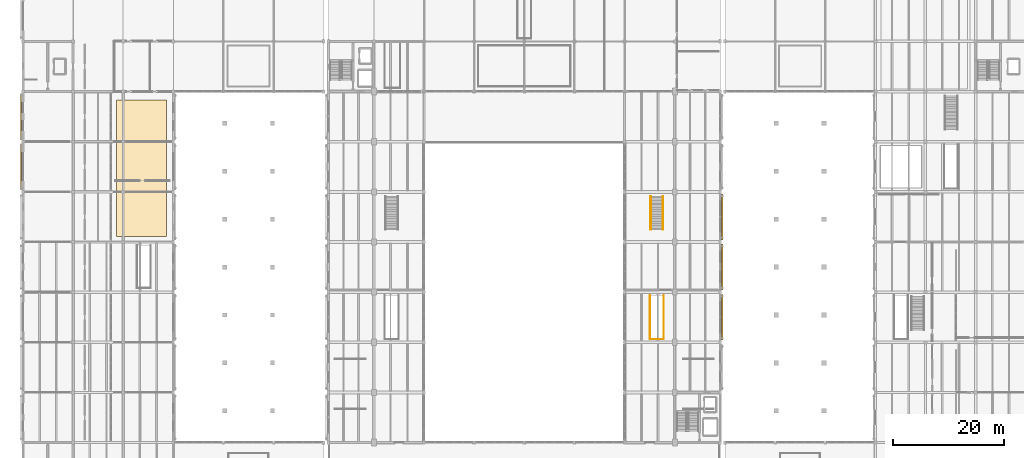
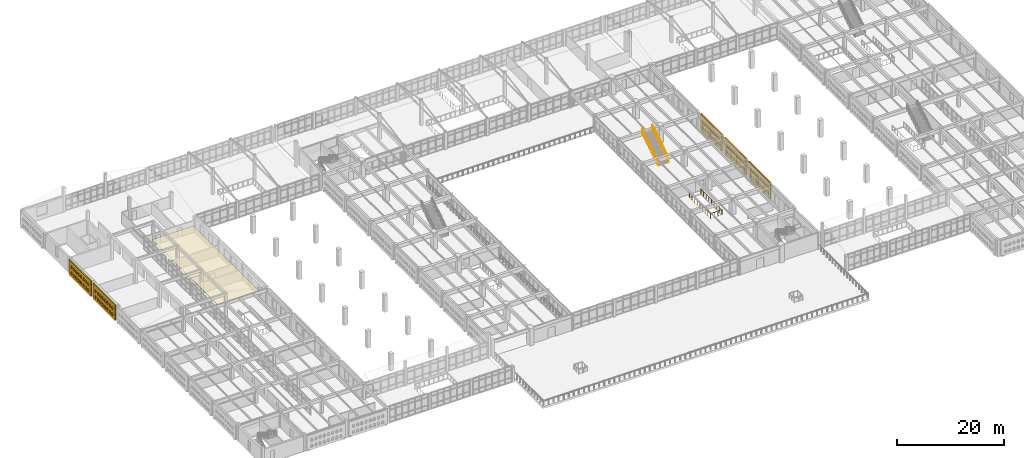
# One storey, part 148 of 156: 6 coverings, 5 railings.
"""IFC4 building model written with IfcOpenShell, lengths in metres."""

from ifc_helpers import new_model, si_unit, direction, frame, origin, origin_2d, place, context, subcontext, project, spatial, polyline, circle, outline, extrude, material, layer, layer_set, type_object, element, save


model = new_model("IFC4")

# Units and contexts
model_context = context("Model", 3, precision=1e-05, world=origin(), true_north=direction((0.0, 1.0)))
body_context = subcontext(model_context, "Body", "Model", "MODEL_VIEW")
ifc_project = project(units=[si_unit("LENGTHUNIT", "METRE"), si_unit("AREAUNIT", "SQUARE_METRE"), si_unit("VOLUMEUNIT", "CUBIC_METRE"), si_unit("PLANEANGLEUNIT", "RADIAN"), si_unit("MASSUNIT", "GRAM", prefix="KILO")], contexts=[model_context])

# Site, building, storey
site_placement = place(None, origin())
site = spatial("IfcSite", under=ifc_project, at=site_placement, CompositionType="ELEMENT")
building_placement = place(site_placement, origin())
building = spatial("IfcBuilding", under=site, at=building_placement, Name="Ornek Quay Market", CompositionType="ELEMENT")
storey_placement = place(building_placement, frame((0.0, 0.0, 4.5)))
storey = spatial("IfcBuildingStorey", under=building, at=storey_placement, Name="L01", CompositionType="ELEMENT", Elevation=4.5)

# Coverings
ifc_material_1 = material(Name="Frost-resistant facing clay brick M200 F100", Category="masonry")
ifc_layer_1 = layer(ifc_material_1, 0.25, Name="Frost-resistant facing clay brick M200 F100", Category="masonry")
ifc_layer_set_1 = layer_set([ifc_layer_1], Name="Frost-resistant facing clay brick M200 F100")
covering_type_1 = type_object("IfcCoveringType", Name="COV-BRICK-LATTICE-250", PredefinedType="CLADDING", material=ifc_layer_set_1)
covering_1_placement = place(storey_placement, frame((-0.340087890625, 74.35009765625, 0.0), z_axis=(0.0, 0.0, 1.0), x_axis=(0.0, 1.0, 0.0)))
element("IfcCovering", 1, at=covering_1_placement, inside=storey, type_object=covering_type_1, Name="Arched brick lattice screen BLS-018", PredefinedType="CLADDING", context=body_context, shape_type="SweptSolid", body=[
    extrude(outline(polyline([(0.0, 0.0), (8.2998046875, 0.0), (8.2998046875, 3.47998046875), (0.0, 3.47998046875), (0.0, 0.0)]), holes=[polyline([(0.760009765625, 0.550048828125), (1.239990234375, 0.550048828125), (1.239990234375, 1.050048828125), (1.1201171875, 1.2578125), (0.8798828125, 1.2578125), (0.760009765625, 1.050048828125), (0.760009765625, 0.550048828125)]), polyline([(0.760009765625, 1.949951171875), (1.239990234375, 1.949951171875), (1.239990234375, 2.449951171875), (1.1201171875, 2.65771484375), (0.8798828125, 2.65771484375), (0.760009765625, 2.449951171875), (0.760009765625, 1.949951171875)]), polyline([(1.659912109375, 0.550048828125), (2.139892578125, 0.550048828125), (2.139892578125, 1.050048828125), (2.02001953125, 1.2578125), (1.780029296875, 1.2578125), (1.659912109375, 1.050048828125), (1.659912109375, 0.550048828125)]), polyline([(1.659912109375, 1.949951171875), (2.139892578125, 1.949951171875), (2.139892578125, 2.449951171875), (2.02001953125, 2.65771484375), (1.780029296875, 2.65771484375), (1.659912109375, 2.449951171875), (1.659912109375, 1.949951171875)]), polyline([(2.56005859375, 0.550048828125), (3.0400390625, 0.550048828125), (3.0400390625, 1.050048828125), (2.919921875, 1.2578125), (2.679931640625, 1.2578125), (2.56005859375, 1.050048828125), (2.56005859375, 0.550048828125)]), polyline([(2.56005859375, 1.949951171875), (3.0400390625, 1.949951171875), (3.0400390625, 2.449951171875), (2.919921875, 2.65771484375), (2.679931640625, 2.65771484375), (2.56005859375, 2.449951171875), (2.56005859375, 1.949951171875)]), polyline([(3.4599609375, 0.550048828125), (3.93994140625, 0.550048828125), (3.93994140625, 1.050048828125), (3.820068359375, 1.2578125), (3.580078125, 1.2578125), (3.4599609375, 1.050048828125), (3.4599609375, 0.550048828125)]), polyline([(3.4599609375, 1.949951171875), (3.93994140625, 1.949951171875), (3.93994140625, 2.449951171875), (3.820068359375, 2.65771484375), (3.580078125, 2.65771484375), (3.4599609375, 2.449951171875), (3.4599609375, 1.949951171875)]), polyline([(4.360107421875, 0.550048828125), (4.840087890625, 0.550048828125), (4.840087890625, 1.050048828125), (4.719970703125, 1.2578125), (4.47998046875, 1.2578125), (4.360107421875, 1.050048828125), (4.360107421875, 0.550048828125)]), polyline([(4.360107421875, 1.949951171875), (4.840087890625, 1.949951171875), (4.840087890625, 2.449951171875), (4.719970703125, 2.65771484375), (4.47998046875, 2.65771484375), (4.360107421875, 2.449951171875), (4.360107421875, 1.949951171875)]), polyline([(5.260009765625, 0.550048828125), (5.739990234375, 0.550048828125), (5.739990234375, 1.050048828125), (5.6201171875, 1.2578125), (5.3798828125, 1.2578125), (5.260009765625, 1.050048828125), (5.260009765625, 0.550048828125)]), polyline([(5.260009765625, 1.949951171875), (5.739990234375, 1.949951171875), (5.739990234375, 2.449951171875), (5.6201171875, 2.65771484375), (5.3798828125, 2.65771484375), (5.260009765625, 2.449951171875), (5.260009765625, 1.949951171875)]), polyline([(6.159912109375, 0.550048828125), (6.639892578125, 0.550048828125), (6.639892578125, 1.050048828125), (6.52001953125, 1.2578125), (6.280029296875, 1.2578125), (6.159912109375, 1.050048828125), (6.159912109375, 0.550048828125)]), polyline([(6.159912109375, 1.949951171875), (6.639892578125, 1.949951171875), (6.639892578125, 2.449951171875), (6.52001953125, 2.65771484375), (6.280029296875, 2.65771484375), (6.159912109375, 2.449951171875), (6.159912109375, 1.949951171875)]), polyline([(7.06005859375, 0.550048828125), (7.5400390625, 0.550048828125), (7.5400390625, 1.050048828125), (7.419921875, 1.2578125), (7.179931640625, 1.2578125), (7.06005859375, 1.050048828125), (7.06005859375, 0.550048828125)]), polyline([(7.06005859375, 1.949951171875), (7.5400390625, 1.949951171875), (7.5400390625, 2.449951171875), (7.419921875, 2.65771484375), (7.179931640625, 2.65771484375), (7.06005859375, 2.449951171875), (7.06005859375, 1.949951171875)])]), frame((0.0, 0.125, 0.0), z_axis=(0.0, -1.0, 0.0), x_axis=(1.0, 0.0, 0.0)), (0.0, 0.0, 1.0), 0.25),
])
covering_2_placement = place(storey_placement, frame((-0.340087890625, 83.35009765625, 0.0), z_axis=(0.0, 0.0, 1.0), x_axis=(0.0, 1.0, 0.0)))
element("IfcCovering", 2, at=covering_2_placement, inside=storey, type_object=covering_type_1, Name="Arched brick lattice screen BLS-019", PredefinedType="CLADDING", context=body_context, shape_type="SweptSolid", body=[
    extrude(outline(polyline([(0.0, 0.0), (8.2998046875, 0.0), (8.2998046875, 3.47998046875), (0.0, 3.47998046875), (0.0, 0.0)]), holes=[polyline([(0.760009765625, 0.550048828125), (1.239990234375, 0.550048828125), (1.239990234375, 1.050048828125), (1.1201171875, 1.2578125), (0.8798828125, 1.2578125), (0.760009765625, 1.050048828125), (0.760009765625, 0.550048828125)]), polyline([(0.760009765625, 1.949951171875), (1.239990234375, 1.949951171875), (1.239990234375, 2.449951171875), (1.1201171875, 2.65771484375), (0.8798828125, 2.65771484375), (0.760009765625, 2.449951171875), (0.760009765625, 1.949951171875)]), polyline([(1.659912109375, 0.550048828125), (2.139892578125, 0.550048828125), (2.139892578125, 1.050048828125), (2.02001953125, 1.2578125), (1.780029296875, 1.2578125), (1.659912109375, 1.050048828125), (1.659912109375, 0.550048828125)]), polyline([(1.659912109375, 1.949951171875), (2.139892578125, 1.949951171875), (2.139892578125, 2.449951171875), (2.02001953125, 2.65771484375), (1.780029296875, 2.65771484375), (1.659912109375, 2.449951171875), (1.659912109375, 1.949951171875)]), polyline([(2.56005859375, 0.550048828125), (3.0400390625, 0.550048828125), (3.0400390625, 1.050048828125), (2.919921875, 1.2578125), (2.679931640625, 1.2578125), (2.56005859375, 1.050048828125), (2.56005859375, 0.550048828125)]), polyline([(2.56005859375, 1.949951171875), (3.0400390625, 1.949951171875), (3.0400390625, 2.449951171875), (2.919921875, 2.65771484375), (2.679931640625, 2.65771484375), (2.56005859375, 2.449951171875), (2.56005859375, 1.949951171875)]), polyline([(3.4599609375, 0.550048828125), (3.93994140625, 0.550048828125), (3.93994140625, 1.050048828125), (3.820068359375, 1.2578125), (3.580078125, 1.2578125), (3.4599609375, 1.050048828125), (3.4599609375, 0.550048828125)]), polyline([(3.4599609375, 1.949951171875), (3.93994140625, 1.949951171875), (3.93994140625, 2.449951171875), (3.820068359375, 2.65771484375), (3.580078125, 2.65771484375), (3.4599609375, 2.449951171875), (3.4599609375, 1.949951171875)]), polyline([(4.360107421875, 0.550048828125), (4.840087890625, 0.550048828125), (4.840087890625, 1.050048828125), (4.719970703125, 1.2578125), (4.47998046875, 1.2578125), (4.360107421875, 1.050048828125), (4.360107421875, 0.550048828125)]), polyline([(4.360107421875, 1.949951171875), (4.840087890625, 1.949951171875), (4.840087890625, 2.449951171875), (4.719970703125, 2.65771484375), (4.47998046875, 2.65771484375), (4.360107421875, 2.449951171875), (4.360107421875, 1.949951171875)]), polyline([(5.260009765625, 0.550048828125), (5.739990234375, 0.550048828125), (5.739990234375, 1.050048828125), (5.6201171875, 1.2578125), (5.3798828125, 1.2578125), (5.260009765625, 1.050048828125), (5.260009765625, 0.550048828125)]), polyline([(5.260009765625, 1.949951171875), (5.739990234375, 1.949951171875), (5.739990234375, 2.449951171875), (5.6201171875, 2.65771484375), (5.3798828125, 2.65771484375), (5.260009765625, 2.449951171875), (5.260009765625, 1.949951171875)]), polyline([(6.159912109375, 0.550048828125), (6.639892578125, 0.550048828125), (6.639892578125, 1.050048828125), (6.52001953125, 1.2578125), (6.280029296875, 1.2578125), (6.159912109375, 1.050048828125), (6.159912109375, 0.550048828125)]), polyline([(6.159912109375, 1.949951171875), (6.639892578125, 1.949951171875), (6.639892578125, 2.449951171875), (6.52001953125, 2.65771484375), (6.280029296875, 2.65771484375), (6.159912109375, 2.449951171875), (6.159912109375, 1.949951171875)]), polyline([(7.06005859375, 0.550048828125), (7.5400390625, 0.550048828125), (7.5400390625, 1.050048828125), (7.419921875, 1.2578125), (7.179931640625, 1.2578125), (7.06005859375, 1.050048828125), (7.06005859375, 0.550048828125)]), polyline([(7.06005859375, 1.949951171875), (7.5400390625, 1.949951171875), (7.5400390625, 2.449951171875), (7.419921875, 2.65771484375), (7.179931640625, 2.65771484375), (7.06005859375, 2.449951171875), (7.06005859375, 1.949951171875)])]), frame((0.0, 0.125, 0.0), z_axis=(0.0, -1.0, 0.0), x_axis=(1.0, 0.0, 0.0)), (0.0, 0.0, 1.0), 0.25),
])
ifc_layer_2 = layer(ifc_material_1, 0.2900390625, Name="Frost-resistant facing clay brick M200 F100", Category="masonry")
ifc_layer_set_2 = layer_set([ifc_layer_2], Name="Frost-resistant facing clay brick M200 F100")
covering_type_2 = type_object("IfcCoveringType", Name="COV-BRICK-LATTICE-290", PredefinedType="CLADDING", material=ifc_layer_set_2)
covering_3_placement = place(storey_placement, frame((125.5400390625, 47.39990234375, 0.0), z_axis=(0.0, 0.0, 1.0), x_axis=(0.0, 1.0, 0.0)))
element("IfcCovering", 3, at=covering_3_placement, inside=storey, type_object=covering_type_2, Name="Arched brick lattice screen BLS-050", PredefinedType="CLADDING", context=body_context, shape_type="SweptSolid", body=[
    extrude(outline(polyline([(0.0, 0.0), (8.2001953125, 0.0), (8.2001953125, 3.659912109375), (0.0, 3.659912109375), (0.0, 0.0)]), holes=[polyline([(0.7099609375, 0.550048828125), (1.18994140625, 0.550048828125), (1.18994140625, 1.050048828125), (1.070068359375, 1.2578125), (0.830078125, 1.2578125), (0.7099609375, 1.050048828125), (0.7099609375, 0.550048828125)]), polyline([(0.7099609375, 1.949951171875), (1.18994140625, 1.949951171875), (1.18994140625, 2.449951171875), (1.070068359375, 2.65771484375), (0.830078125, 2.65771484375), (0.7099609375, 2.449951171875), (0.7099609375, 1.949951171875)]), polyline([(1.610107421875, 0.550048828125), (2.090087890625, 0.550048828125), (2.090087890625, 1.050048828125), (1.969970703125, 1.2578125), (1.72998046875, 1.2578125), (1.610107421875, 1.050048828125), (1.610107421875, 0.550048828125)]), polyline([(1.610107421875, 1.949951171875), (2.090087890625, 1.949951171875), (2.090087890625, 2.449951171875), (1.969970703125, 2.65771484375), (1.72998046875, 2.65771484375), (1.610107421875, 2.449951171875), (1.610107421875, 1.949951171875)]), polyline([(2.510009765625, 0.550048828125), (2.989990234375, 0.550048828125), (2.989990234375, 1.050048828125), (2.8701171875, 1.2578125), (2.6298828125, 1.2578125), (2.510009765625, 1.050048828125), (2.510009765625, 0.550048828125)]), polyline([(2.510009765625, 1.949951171875), (2.989990234375, 1.949951171875), (2.989990234375, 2.449951171875), (2.8701171875, 2.65771484375), (2.6298828125, 2.65771484375), (2.510009765625, 2.449951171875), (2.510009765625, 1.949951171875)]), polyline([(3.409912109375, 0.550048828125), (3.889892578125, 0.550048828125), (3.889892578125, 1.050048828125), (3.77001953125, 1.2578125), (3.530029296875, 1.2578125), (3.409912109375, 1.050048828125), (3.409912109375, 0.550048828125)]), polyline([(3.409912109375, 1.949951171875), (3.889892578125, 1.949951171875), (3.889892578125, 2.449951171875), (3.77001953125, 2.65771484375), (3.530029296875, 2.65771484375), (3.409912109375, 2.449951171875), (3.409912109375, 1.949951171875)]), polyline([(4.31005859375, 0.550048828125), (4.7900390625, 0.550048828125), (4.7900390625, 1.050048828125), (4.669921875, 1.2578125), (4.429931640625, 1.2578125), (4.31005859375, 1.050048828125), (4.31005859375, 0.550048828125)]), polyline([(4.31005859375, 1.949951171875), (4.7900390625, 1.949951171875), (4.7900390625, 2.449951171875), (4.669921875, 2.65771484375), (4.429931640625, 2.65771484375), (4.31005859375, 2.449951171875), (4.31005859375, 1.949951171875)]), polyline([(5.2099609375, 0.550048828125), (5.68994140625, 0.550048828125), (5.68994140625, 1.050048828125), (5.570068359375, 1.2578125), (5.330078125, 1.2578125), (5.2099609375, 1.050048828125), (5.2099609375, 0.550048828125)]), polyline([(5.2099609375, 1.949951171875), (5.68994140625, 1.949951171875), (5.68994140625, 2.449951171875), (5.570068359375, 2.65771484375), (5.330078125, 2.65771484375), (5.2099609375, 2.449951171875), (5.2099609375, 1.949951171875)]), polyline([(6.110107421875, 0.550048828125), (6.590087890625, 0.550048828125), (6.590087890625, 1.050048828125), (6.469970703125, 1.2578125), (6.22998046875, 1.2578125), (6.110107421875, 1.050048828125), (6.110107421875, 0.550048828125)]), polyline([(6.110107421875, 1.949951171875), (6.590087890625, 1.949951171875), (6.590087890625, 2.449951171875), (6.469970703125, 2.65771484375), (6.22998046875, 2.65771484375), (6.110107421875, 2.449951171875), (6.110107421875, 1.949951171875)]), polyline([(7.010009765625, 0.550048828125), (7.489990234375, 0.550048828125), (7.489990234375, 1.050048828125), (7.3701171875, 1.2578125), (7.1298828125, 1.2578125), (7.010009765625, 1.050048828125), (7.010009765625, 0.550048828125)]), polyline([(7.010009765625, 1.949951171875), (7.489990234375, 1.949951171875), (7.489990234375, 2.449951171875), (7.3701171875, 2.65771484375), (7.1298828125, 2.65771484375), (7.010009765625, 2.449951171875), (7.010009765625, 1.949951171875)])]), frame((0.0, 0.14501953125, 0.0), z_axis=(0.0, -1.0, 0.0), x_axis=(1.0, 0.0, 0.0)), (0.0, 0.0, 1.0), 0.2900390625),
])
covering_4_placement = place(storey_placement, frame((125.5400390625, 56.39990234375, 0.0), z_axis=(0.0, 0.0, 1.0), x_axis=(0.0, 1.0, 0.0)))
element("IfcCovering", 4, at=covering_4_placement, inside=storey, type_object=covering_type_2, Name="Arched brick lattice screen BLS-051", PredefinedType="CLADDING", context=body_context, shape_type="SweptSolid", body=[
    extrude(outline(polyline([(0.0, 0.0), (8.2001953125, 0.0), (8.2001953125, 3.659912109375), (0.0, 3.659912109375), (0.0, 0.0)]), holes=[polyline([(0.7099609375, 0.550048828125), (1.18994140625, 0.550048828125), (1.18994140625, 1.050048828125), (1.070068359375, 1.2578125), (0.830078125, 1.2578125), (0.7099609375, 1.050048828125), (0.7099609375, 0.550048828125)]), polyline([(0.7099609375, 1.949951171875), (1.18994140625, 1.949951171875), (1.18994140625, 2.449951171875), (1.070068359375, 2.65771484375), (0.830078125, 2.65771484375), (0.7099609375, 2.449951171875), (0.7099609375, 1.949951171875)]), polyline([(1.610107421875, 0.550048828125), (2.090087890625, 0.550048828125), (2.090087890625, 1.050048828125), (1.969970703125, 1.2578125), (1.72998046875, 1.2578125), (1.610107421875, 1.050048828125), (1.610107421875, 0.550048828125)]), polyline([(1.610107421875, 1.949951171875), (2.090087890625, 1.949951171875), (2.090087890625, 2.449951171875), (1.969970703125, 2.65771484375), (1.72998046875, 2.65771484375), (1.610107421875, 2.449951171875), (1.610107421875, 1.949951171875)]), polyline([(2.510009765625, 0.550048828125), (2.989990234375, 0.550048828125), (2.989990234375, 1.050048828125), (2.8701171875, 1.2578125), (2.6298828125, 1.2578125), (2.510009765625, 1.050048828125), (2.510009765625, 0.550048828125)]), polyline([(2.510009765625, 1.949951171875), (2.989990234375, 1.949951171875), (2.989990234375, 2.449951171875), (2.8701171875, 2.65771484375), (2.6298828125, 2.65771484375), (2.510009765625, 2.449951171875), (2.510009765625, 1.949951171875)]), polyline([(3.409912109375, 0.550048828125), (3.889892578125, 0.550048828125), (3.889892578125, 1.050048828125), (3.77001953125, 1.2578125), (3.530029296875, 1.2578125), (3.409912109375, 1.050048828125), (3.409912109375, 0.550048828125)]), polyline([(3.409912109375, 1.949951171875), (3.889892578125, 1.949951171875), (3.889892578125, 2.449951171875), (3.77001953125, 2.65771484375), (3.530029296875, 2.65771484375), (3.409912109375, 2.449951171875), (3.409912109375, 1.949951171875)]), polyline([(4.31005859375, 0.550048828125), (4.7900390625, 0.550048828125), (4.7900390625, 1.050048828125), (4.669921875, 1.2578125), (4.429931640625, 1.2578125), (4.31005859375, 1.050048828125), (4.31005859375, 0.550048828125)]), polyline([(4.31005859375, 1.949951171875), (4.7900390625, 1.949951171875), (4.7900390625, 2.449951171875), (4.669921875, 2.65771484375), (4.429931640625, 2.65771484375), (4.31005859375, 2.449951171875), (4.31005859375, 1.949951171875)]), polyline([(5.2099609375, 0.550048828125), (5.68994140625, 0.550048828125), (5.68994140625, 1.050048828125), (5.570068359375, 1.2578125), (5.330078125, 1.2578125), (5.2099609375, 1.050048828125), (5.2099609375, 0.550048828125)]), polyline([(5.2099609375, 1.949951171875), (5.68994140625, 1.949951171875), (5.68994140625, 2.449951171875), (5.570068359375, 2.65771484375), (5.330078125, 2.65771484375), (5.2099609375, 2.449951171875), (5.2099609375, 1.949951171875)]), polyline([(6.110107421875, 0.550048828125), (6.590087890625, 0.550048828125), (6.590087890625, 1.050048828125), (6.469970703125, 1.2578125), (6.22998046875, 1.2578125), (6.110107421875, 1.050048828125), (6.110107421875, 0.550048828125)]), polyline([(6.110107421875, 1.949951171875), (6.590087890625, 1.949951171875), (6.590087890625, 2.449951171875), (6.469970703125, 2.65771484375), (6.22998046875, 2.65771484375), (6.110107421875, 2.449951171875), (6.110107421875, 1.949951171875)]), polyline([(7.010009765625, 0.550048828125), (7.489990234375, 0.550048828125), (7.489990234375, 1.050048828125), (7.3701171875, 1.2578125), (7.1298828125, 1.2578125), (7.010009765625, 1.050048828125), (7.010009765625, 0.550048828125)]), polyline([(7.010009765625, 1.949951171875), (7.489990234375, 1.949951171875), (7.489990234375, 2.449951171875), (7.3701171875, 2.65771484375), (7.1298828125, 2.65771484375), (7.010009765625, 2.449951171875), (7.010009765625, 1.949951171875)])]), frame((0.0, 0.14501953125, 0.0), z_axis=(0.0, -1.0, 0.0), x_axis=(1.0, 0.0, 0.0)), (0.0, 0.0, 1.0), 0.2900390625),
])
covering_5_placement = place(storey_placement, frame((125.5400390625, 65.39990234375, 0.0), z_axis=(0.0, 0.0, 1.0), x_axis=(0.0, 1.0, 0.0)))
element("IfcCovering", 5, at=covering_5_placement, inside=storey, type_object=covering_type_2, Name="Arched brick lattice screen BLS-052", PredefinedType="CLADDING", context=body_context, shape_type="SweptSolid", body=[
    extrude(outline(polyline([(0.0, 0.0), (8.2001953125, 0.0), (8.2001953125, 3.659912109375), (0.0, 3.659912109375), (0.0, 0.0)]), holes=[polyline([(0.7099609375, 0.550048828125), (1.18994140625, 0.550048828125), (1.18994140625, 1.050048828125), (1.070068359375, 1.2578125), (0.830078125, 1.2578125), (0.7099609375, 1.050048828125), (0.7099609375, 0.550048828125)]), polyline([(0.7099609375, 1.949951171875), (1.18994140625, 1.949951171875), (1.18994140625, 2.449951171875), (1.070068359375, 2.65771484375), (0.830078125, 2.65771484375), (0.7099609375, 2.449951171875), (0.7099609375, 1.949951171875)]), polyline([(1.610107421875, 0.550048828125), (2.090087890625, 0.550048828125), (2.090087890625, 1.050048828125), (1.969970703125, 1.2578125), (1.72998046875, 1.2578125), (1.610107421875, 1.050048828125), (1.610107421875, 0.550048828125)]), polyline([(1.610107421875, 1.949951171875), (2.090087890625, 1.949951171875), (2.090087890625, 2.449951171875), (1.969970703125, 2.65771484375), (1.72998046875, 2.65771484375), (1.610107421875, 2.449951171875), (1.610107421875, 1.949951171875)]), polyline([(2.510009765625, 0.550048828125), (2.989990234375, 0.550048828125), (2.989990234375, 1.050048828125), (2.8701171875, 1.2578125), (2.6298828125, 1.2578125), (2.510009765625, 1.050048828125), (2.510009765625, 0.550048828125)]), polyline([(2.510009765625, 1.949951171875), (2.989990234375, 1.949951171875), (2.989990234375, 2.449951171875), (2.8701171875, 2.65771484375), (2.6298828125, 2.65771484375), (2.510009765625, 2.449951171875), (2.510009765625, 1.949951171875)]), polyline([(3.409912109375, 0.550048828125), (3.889892578125, 0.550048828125), (3.889892578125, 1.050048828125), (3.77001953125, 1.2578125), (3.530029296875, 1.2578125), (3.409912109375, 1.050048828125), (3.409912109375, 0.550048828125)]), polyline([(3.409912109375, 1.949951171875), (3.889892578125, 1.949951171875), (3.889892578125, 2.449951171875), (3.77001953125, 2.65771484375), (3.530029296875, 2.65771484375), (3.409912109375, 2.449951171875), (3.409912109375, 1.949951171875)]), polyline([(4.31005859375, 0.550048828125), (4.7900390625, 0.550048828125), (4.7900390625, 1.050048828125), (4.669921875, 1.2578125), (4.429931640625, 1.2578125), (4.31005859375, 1.050048828125), (4.31005859375, 0.550048828125)]), polyline([(4.31005859375, 1.949951171875), (4.7900390625, 1.949951171875), (4.7900390625, 2.449951171875), (4.669921875, 2.65771484375), (4.429931640625, 2.65771484375), (4.31005859375, 2.449951171875), (4.31005859375, 1.949951171875)]), polyline([(5.2099609375, 0.550048828125), (5.68994140625, 0.550048828125), (5.68994140625, 1.050048828125), (5.570068359375, 1.2578125), (5.330078125, 1.2578125), (5.2099609375, 1.050048828125), (5.2099609375, 0.550048828125)]), polyline([(5.2099609375, 1.949951171875), (5.68994140625, 1.949951171875), (5.68994140625, 2.449951171875), (5.570068359375, 2.65771484375), (5.330078125, 2.65771484375), (5.2099609375, 2.449951171875), (5.2099609375, 1.949951171875)]), polyline([(6.110107421875, 0.550048828125), (6.590087890625, 0.550048828125), (6.590087890625, 1.050048828125), (6.469970703125, 1.2578125), (6.22998046875, 1.2578125), (6.110107421875, 1.050048828125), (6.110107421875, 0.550048828125)]), polyline([(6.110107421875, 1.949951171875), (6.590087890625, 1.949951171875), (6.590087890625, 2.449951171875), (6.469970703125, 2.65771484375), (6.22998046875, 2.65771484375), (6.110107421875, 2.449951171875), (6.110107421875, 1.949951171875)]), polyline([(7.010009765625, 0.550048828125), (7.489990234375, 0.550048828125), (7.489990234375, 1.050048828125), (7.3701171875, 1.2578125), (7.1298828125, 1.2578125), (7.010009765625, 1.050048828125), (7.010009765625, 0.550048828125)]), polyline([(7.010009765625, 1.949951171875), (7.489990234375, 1.949951171875), (7.489990234375, 2.449951171875), (7.3701171875, 2.65771484375), (7.1298828125, 2.65771484375), (7.010009765625, 2.449951171875), (7.010009765625, 1.949951171875)])]), frame((0.0, 0.14501953125, 0.0), z_axis=(0.0, -1.0, 0.0), x_axis=(1.0, 0.0, 0.0)), (0.0, 0.0, 1.0), 0.2900390625),
])
ifc_material_2 = material(Name="Perforated larch acoustic slat ceiling", Category="other")
ifc_layer_3 = layer(ifc_material_2, 0.044921875, Name="Perforated larch acoustic slat ceiling", Category="other")
ifc_layer_set_3 = layer_set([ifc_layer_3], Name="Perforated larch acoustic slat ceiling")
covering_type_3 = type_object("IfcCoveringType", Name="COV-CEIL-TIMBER-45", PredefinedType="CEILING", material=ifc_layer_set_3)
covering_6_placement = place(storey_placement, frame((0.0, 0.0, 2.60009765625)))
element("IfcCovering", 6, at=covering_6_placement, inside=storey, type_object=covering_type_3, Name="Suspended acoustic ceiling CLG-06", PredefinedType="CEILING", context=body_context, shape_type="SweptSolid", body=[
    extrude(outline(polyline([(16.800048828125, 66.0), (25.800048828125, 66.0), (25.800048828125, 90.5), (16.800048828125, 90.5), (16.800048828125, 66.0)])), origin(), (0.0, 0.0, 1.0), 0.044921875),
])

# Railings
ifc_material_3 = material(Name="Painted steel S355 and vertical infill bars", Category="steel")
railing_type_1 = type_object("IfcRailingType", Name="RL-GUARD-GAL-1100", PredefinedType="GUARDRAIL", material=ifc_material_3)
railing_placement = place(storey_placement, frame((112.56005859375, 55.39990234375, 0.0)))
element("IfcRailing", 7, at=railing_placement, inside=storey, type_object=railing_type_1, Name="Railing GR-01-074", PredefinedType="GUARDRAIL", context=body_context, shape_type="SweptSolid", body=[
    extrude(circle(Radius=0.02392578125, at=origin_2d()), frame((0.0, 0.0, 1.09619140625), z_axis=(0.0, -1.0, 0.0), x_axis=(1.0, 0.0, 0.0)), (0.0, 0.0, 1.0), 7.829833984375),
    extrude(circle(Radius=0.02392578125, at=origin_2d()), frame((0.030029296875, -7.85986328125, 1.09619140625), z_axis=(1.0, 0.0, 0.0), x_axis=(0.0, 1.0, 0.0)), (0.0, 0.0, 1.0), 2.419921875),
    extrude(circle(Radius=0.02392578125, at=origin_2d()), frame((2.47998046875, -7.829833984375, 1.09619140625), z_axis=(0.0, 1.0, 0.0), x_axis=(-1.0, 0.0, 0.0)), (0.0, 0.0, 1.0), 7.829833984375),
    extrude(circle(Radius=0.02099609375, at=origin_2d()), origin(), (0.0, 0.0, 1.0), 1.068115234375),
    extrude(circle(Radius=0.02099609375, at=origin_2d()), frame((0.0, -0.982421875, 0.0)), (0.0, 0.0, 1.0), 1.068115234375),
    extrude(circle(Radius=0.02099609375, at=origin_2d()), frame((0.0, -1.96484375, 0.0)), (0.0, 0.0, 1.0), 1.068115234375),
    extrude(circle(Radius=0.02099609375, at=origin_2d()), frame((0.0, -2.947509765625, 0.0)), (0.0, 0.0, 1.0), 1.068115234375),
    extrude(circle(Radius=0.02099609375, at=origin_2d()), frame((0.0, -3.929931640625, 0.0)), (0.0, 0.0, 1.0), 1.068115234375),
    extrude(circle(Radius=0.02099609375, at=origin_2d()), frame((0.0, -4.912353515625, 0.0)), (0.0, 0.0, 1.0), 1.068115234375),
    extrude(circle(Radius=0.02099609375, at=origin_2d()), frame((0.0, -5.89501953125, 0.0)), (0.0, 0.0, 1.0), 1.068115234375),
    extrude(circle(Radius=0.02099609375, at=origin_2d()), frame((0.0, -6.87744140625, 0.0)), (0.0, 0.0, 1.0), 1.068115234375),
    extrude(circle(Radius=0.02099609375, at=origin_2d()), frame((0.0, -7.85986328125, 0.0)), (0.0, 0.0, 1.0), 1.068115234375),
    extrude(circle(Radius=0.02099609375, at=origin_2d()), frame((0.82666015625, -7.85986328125, 0.0)), (0.0, 0.0, 1.0), 1.068115234375),
    extrude(circle(Radius=0.02099609375, at=origin_2d()), frame((1.6533203125, -7.85986328125, 0.0)), (0.0, 0.0, 1.0), 1.068115234375),
    extrude(circle(Radius=0.02099609375, at=origin_2d()), frame((2.47998046875, -7.85986328125, 0.0)), (0.0, 0.0, 1.0), 1.068115234375),
    extrude(circle(Radius=0.02099609375, at=origin_2d()), frame((2.47998046875, -6.87744140625, 0.0)), (0.0, 0.0, 1.0), 1.068115234375),
    extrude(circle(Radius=0.02099609375, at=origin_2d()), frame((2.47998046875, -5.89501953125, 0.0)), (0.0, 0.0, 1.0), 1.068115234375),
    extrude(circle(Radius=0.02099609375, at=origin_2d()), frame((2.47998046875, -4.912353515625, 0.0)), (0.0, 0.0, 1.0), 1.068115234375),
    extrude(circle(Radius=0.02099609375, at=origin_2d()), frame((2.47998046875, -3.929931640625, 0.0)), (0.0, 0.0, 1.0), 1.068115234375),
    extrude(circle(Radius=0.02099609375, at=origin_2d()), frame((2.47998046875, -2.947509765625, 0.0)), (0.0, 0.0, 1.0), 1.068115234375),
    extrude(circle(Radius=0.02099609375, at=origin_2d()), frame((2.47998046875, -1.96484375, 0.0)), (0.0, 0.0, 1.0), 1.068115234375),
    extrude(circle(Radius=0.02099609375, at=origin_2d()), frame((2.47998046875, -0.982421875, 0.0)), (0.0, 0.0, 1.0), 1.068115234375),
    extrude(circle(Radius=0.02099609375, at=origin_2d()), frame((2.47998046875, 0.0, 0.0)), (0.0, 0.0, 1.0), 1.068115234375),
])
ifc_material_4 = material(Name="Brushed stainless steel 316", Category="steel")
railing_type_2 = type_object("IfcRailingType", Name="RL-GUARD-STAIR-1100", PredefinedType="GUARDRAIL", material=ifc_material_4)
for number, where, name in (
    (8, (112.659912109375, 67.2041015625, 0.0), "Railing GR-03-080"),
    (9, (114.93994140625, 67.2041015625, 0.0), "Railing GR-03-081"),
):
    element("IfcRailing", number, at=place(storey_placement, frame(where)), inside=storey, type_object=railing_type_2, Name=name, PredefinedType="GUARDRAIL", context=body_context, shape_type="SweptSolid", body=[
        extrude(circle(Radius=0.02392578125, at=origin_2d()), frame((0.0, 0.0, 1.09619140625), z_axis=(0.0, 0.838277470406, 0.545243874436), x_axis=(-1.0, 0.0, 0.0)), (0.0, 0.0, 1.0), 7.152587890625),
        extrude(circle(Radius=0.02099609375, at=origin_2d()), origin(), (0.0, 0.0, 1.0), 1.068115234375),
        extrude(circle(Radius=0.02099609375, at=origin_2d()), frame((0.0, 0.8564453125, 0.55712890625)), (0.0, 0.0, 1.0), 1.068115234375),
        extrude(circle(Radius=0.02099609375, at=origin_2d()), frame((0.0, 1.713134765625, 1.1142578125)), (0.0, 0.0, 1.0), 1.068115234375),
        extrude(circle(Radius=0.02099609375, at=origin_2d()), frame((0.0, 2.569580078125, 1.67138671875)), (0.0, 0.0, 1.0), 1.068115234375),
        extrude(circle(Radius=0.02099609375, at=origin_2d()), frame((0.0, 3.42626953125, 2.228515625)), (0.0, 0.0, 1.0), 1.068115234375),
        extrude(circle(Radius=0.02099609375, at=origin_2d()), frame((0.0, 4.28271484375, 2.78564453125)), (0.0, 0.0, 1.0), 1.068115234375),
        extrude(circle(Radius=0.02099609375, at=origin_2d()), frame((0.0, 5.139404296875, 3.3427734375)), (0.0, 0.0, 1.0), 1.068115234375),
        extrude(circle(Radius=0.02099609375, at=origin_2d()), frame((0.0, 5.995849609375, 3.89990234375)), (0.0, 0.0, 1.0), 1.068115234375),
    ])
railing_type_3 = type_object("IfcRailingType", Name="RL-HANDRAIL-920", PredefinedType="HANDRAIL", material=ifc_material_4)
for number, where, name in (
    (10, (112.719970703125, 67.2041015625, 0.080078125), "Railing HR-01-082"),
    (11, (114.8798828125, 67.2041015625, 0.080078125), "Railing HR-01-083"),
):
    element("IfcRailing", number, at=place(storey_placement, frame(where)), inside=storey, type_object=railing_type_3, Name=name, PredefinedType="HANDRAIL", context=body_context, shape_type="SweptSolid", body=[
        extrude(circle(Radius=0.02392578125, at=origin_2d()), frame((0.0, 0.0, 0.89599609375), z_axis=(0.0, 0.838277470406, 0.545243874436), x_axis=(-1.0, 0.0, 0.0)), (0.0, 0.0, 1.0), 7.152587890625),
        extrude(circle(Radius=0.02099609375, at=origin_2d()), origin(), (0.0, 0.0, 1.0), 0.867919921875),
        extrude(circle(Radius=0.02099609375, at=origin_2d()), frame((0.0, 0.8564453125, 0.55712890625)), (0.0, 0.0, 1.0), 0.867919921875),
        extrude(circle(Radius=0.02099609375, at=origin_2d()), frame((0.0, 1.713134765625, 1.1142578125)), (0.0, 0.0, 1.0), 0.867919921875),
        extrude(circle(Radius=0.02099609375, at=origin_2d()), frame((0.0, 2.569580078125, 1.67138671875)), (0.0, 0.0, 1.0), 0.867919921875),
        extrude(circle(Radius=0.02099609375, at=origin_2d()), frame((0.0, 3.42626953125, 2.228515625)), (0.0, 0.0, 1.0), 0.867919921875),
        extrude(circle(Radius=0.02099609375, at=origin_2d()), frame((0.0, 4.28271484375, 2.78564453125)), (0.0, 0.0, 1.0), 0.867919921875),
        extrude(circle(Radius=0.02099609375, at=origin_2d()), frame((0.0, 5.139404296875, 3.3427734375)), (0.0, 0.0, 1.0), 0.867919921875),
        extrude(circle(Radius=0.02099609375, at=origin_2d()), frame((0.0, 5.995849609375, 3.89990234375)), (0.0, 0.0, 1.0), 0.867919921875),
    ])

save(model, "model.ifc")
